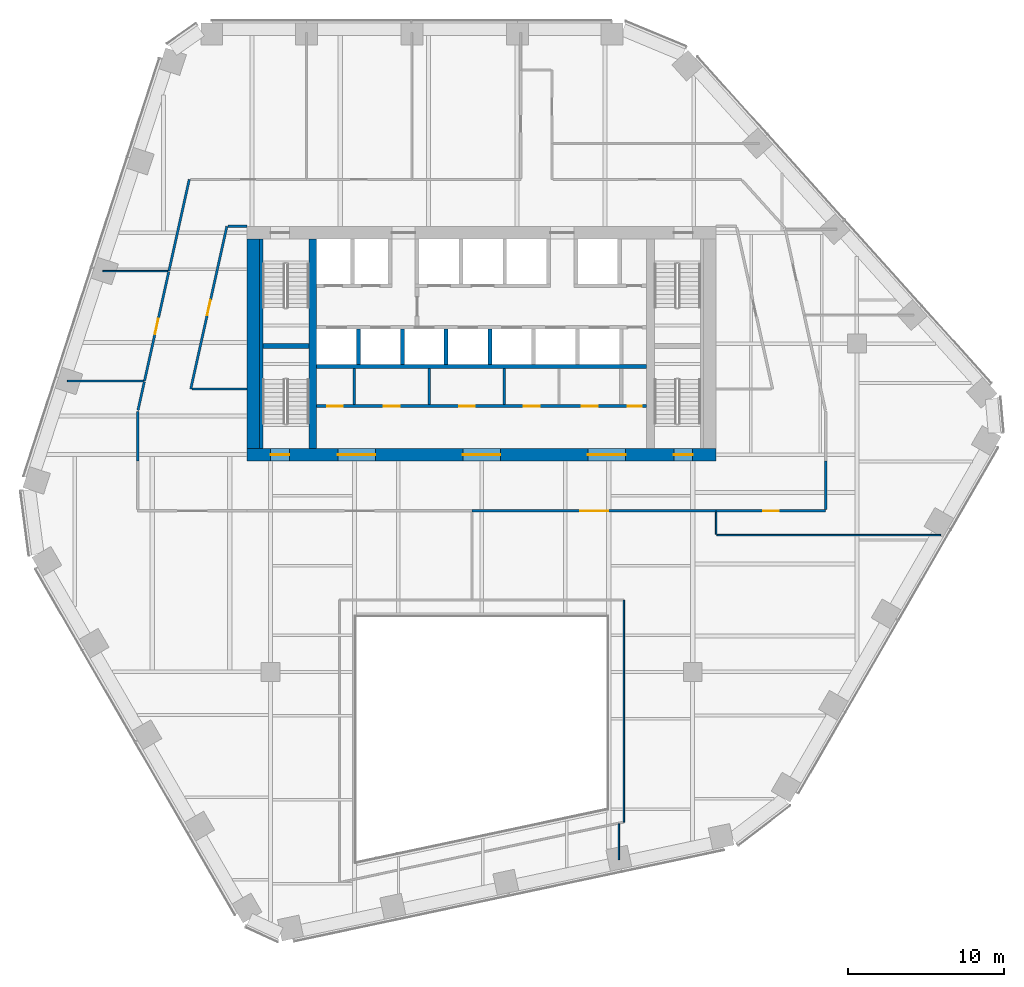
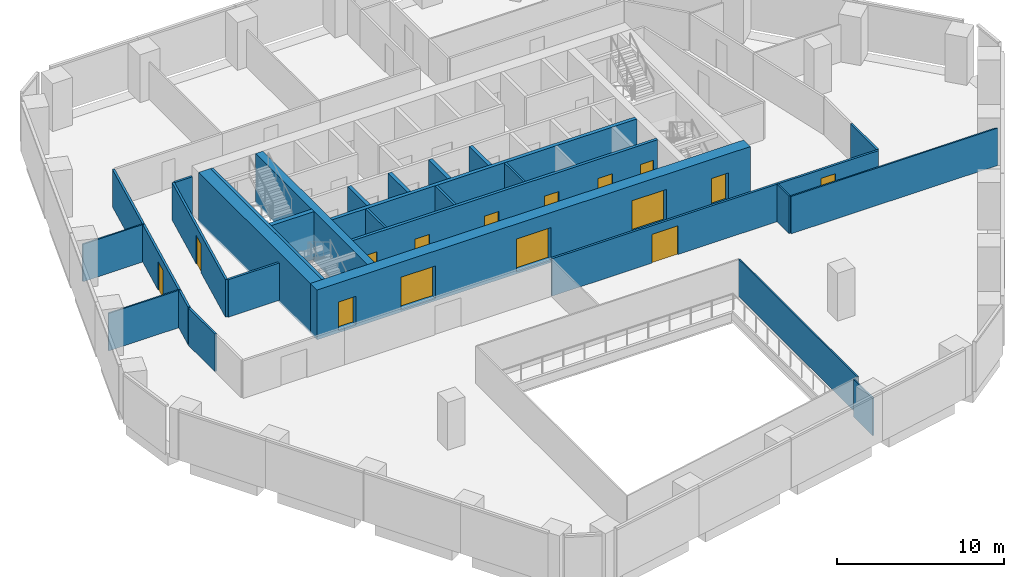
# One storey, part 11 of 16: 30 walls, 15 doors, 15 openings.
"""IFC4 building model written with IfcOpenShell, lengths in metres."""

from ifc_helpers import new_model, si_unit, direction, frame, frame_2d, origin, place, context, subcontext, project, spatial, rectangle, extrude, material, layer, layer_set, type_object, element, fill, save


model = new_model("IFC4")

# Units and contexts
model_context = context("Model", 3, precision=1e-05, world=origin(), true_north=direction((0.0, 1.0)))
body_context = subcontext(model_context, "Body", "Model", "MODEL_VIEW")
ifc_project = project(units=[si_unit("LENGTHUNIT", "METRE"), si_unit("AREAUNIT", "SQUARE_METRE"), si_unit("VOLUMEUNIT", "CUBIC_METRE"), si_unit("PLANEANGLEUNIT", "RADIAN"), si_unit("MASSUNIT", "GRAM", prefix="KILO")], contexts=[model_context])

# Site, building, storey
site_placement = place(None, origin())
site = spatial("IfcSite", under=ifc_project, at=site_placement, CompositionType="ELEMENT")
building_placement = place(site_placement, origin())
building = spatial("IfcBuilding", under=site, at=building_placement, Name="Isthmus Gate Tower", CompositionType="ELEMENT")
storey_placement = place(building_placement, frame((0.0, 0.0, 137.10009765625)))
storey = spatial("IfcBuildingStorey", under=building, at=storey_placement, Name="L33", CompositionType="ELEMENT", Elevation=137.10009765625)

# Wall
ifc_material_1 = material(Name="Fire-rated laminated glass in steel frame", Category="steel")
ifc_layer_1 = layer(ifc_material_1, 0.10009765625)
ifc_layer_set_1 = layer_set([ifc_layer_1], Name="ATRIUM SCREEN GLAZED WALL 100 120 MIN")
wall_type_1 = type_object("IfcWallType", Name="ATRIUM SCREEN GLAZED WALL 100 120 MIN", PredefinedType="PARTITIONING", material=ifc_layer_set_1)
wall_1_placement = place(storey_placement, frame((9.10009765625, -8.89990234375, 0.0), z_axis=(0.0, 0.0, 1.0), x_axis=(0.0, -1.0, 0.0)))
element("IfcWall", 1, at=wall_1_placement, inside=storey, type_object=wall_type_1, Name="L33 atrium screen", PredefinedType="PARTITIONING", context=body_context, shape_type="SweptSolid", body=[
    extrude(rectangle(XDim=14.200927734375, YDim=0.10009765625, at=frame_2d((7.1005859375, 0.0))), origin(), (0.0, 0.0, 1.0), 2.7412109375),
])

# Wall, opening, door
ifc_material_2 = material(Name="Gypsum board on steel studs, fire-rated", Category="steel")
ifc_layer_2 = layer(ifc_material_2, 0.14990234375)
ifc_layer_set_2 = layer_set([ifc_layer_2], Name="CORRIDOR WALL 150 60 MIN")
wall_type_2 = type_object("IfcWallType", Name="CORRIDOR WALL 150 60 MIN", PredefinedType="PARTITIONING", material=ifc_layer_set_2)
wall_2_placement = place(storey_placement, frame((15.0, -3.199951171875, 0.0), z_axis=(0.0, 0.0, 1.0), x_axis=(-1.0, 0.0, 0.0)))
wall_2 = element("IfcWall", 2, at=wall_2_placement, inside=storey, type_object=wall_type_2, Name="L33 Corridor Wall 150 60 Min", PredefinedType="PARTITIONING", context=body_context, shape_type="SweptSolid", body=[
    extrude(rectangle(XDim=15.616943359375, YDim=0.14990234375, at=frame_2d((7.80859375, 0.0))), origin(), (0.0, 0.0, 1.0), 2.7412109375),
])
opening_1_placement = place(wall_2_placement, frame((6.908447265625, 0.0, 0.0)))
opening_1 = element("IfcOpeningElement", 3, at=opening_1_placement, cuts=wall_2, Name="Opening DT-T3B-13", PredefinedType="OPENING", context=body_context, shape_type="SweptSolid", body=[
    extrude(rectangle(XDim=1.800048828125, YDim=2.10009765625, at=frame_2d((0.89990234375, 1.050048828125))), frame((0.0, 0.0849609375, 0.0), z_axis=(0.0, -1.0, 0.0), x_axis=(1.0, 0.0, 0.0)), (0.0, 0.0, 1.0), 0.169921875),
])
ifc_material_3 = material(Name="Solid core timber door leaf, fire-rated", Category="wood")
door_type_1 = type_object("IfcDoorType", Name="FIRE DOOR ROOM 1800 X 2100 60 MIN", OperationType="DOUBLE_DOOR_DOUBLE_SWING", PredefinedType="DOOR", material=ifc_material_3)
door_1_placement = place(opening_1_placement, origin())
door_1 = element("IfcDoor", 4, at=door_1_placement, inside=storey, type_object=door_type_1, Name="L33 room door", OperationType="DOUBLE_DOOR_DOUBLE_SWING", OverallHeight=2.10009765625, OverallWidth=1.800048828125, PredefinedType="DOOR", context=body_context, shape_type="SweptSolid", body=[
    extrude(rectangle(XDim=1.800048828125, YDim=2.10009765625, at=frame_2d((0.89990234375, 1.050048828125))), frame((0.0, 0.02490234375, 0.0), z_axis=(0.0, -1.0, 0.0), x_axis=(1.0, 0.0, 0.0)), (0.0, 0.0, 1.0), 0.050048828125),
])
fill(opening_1, door_1)

wall_3_placement = place(storey_placement, frame((22.0, -3.199951171875, 0.0), z_axis=(0.0, 0.0, 1.0), x_axis=(-1.0, 0.0, 0.0)))
wall_3 = element("IfcWall", 5, at=wall_3_placement, inside=storey, type_object=wall_type_2, Name="L33 Corridor Wall 150 60 Min", PredefinedType="PARTITIONING", context=body_context, shape_type="SweptSolid", body=[
    extrude(rectangle(XDim=7.0, YDim=0.14990234375, at=frame_2d((3.5, 0.0))), origin(), (0.0, 0.0, 1.0), 2.7412109375),
])
opening_2_placement = place(wall_3_placement, frame((3.0, 0.0, 0.0)))
opening_2 = element("IfcOpeningElement", 6, at=opening_2_placement, cuts=wall_3, Name="Opening DT-T3B-10", PredefinedType="OPENING", context=body_context, shape_type="SweptSolid", body=[
    extrude(rectangle(XDim=1.0, YDim=2.10009765625, at=frame_2d((0.5, 1.050048828125))), frame((0.0, 0.0849609375, 0.0), z_axis=(0.0, -1.0, 0.0), x_axis=(1.0, 0.0, 0.0)), (0.0, 0.0, 1.0), 0.169921875),
])
ifc_material_4 = material(Name="Solid core timber door leaf, fire-rated", Category="wood")
door_type_2 = type_object("IfcDoorType", Name="FIRE DOOR ROOM 1000 X 2100 60 MIN", OperationType="SINGLE_SWING_LEFT", PredefinedType="DOOR", material=ifc_material_4)
door_2_placement = place(opening_2_placement, origin())
door_2 = element("IfcDoor", 7, at=door_2_placement, inside=storey, type_object=door_type_2, Name="L33 room door", OperationType="SINGLE_SWING_RIGHT", OverallHeight=2.10009765625, OverallWidth=1.0, PredefinedType="DOOR", context=body_context, shape_type="SweptSolid", body=[
    extrude(rectangle(XDim=1.0, YDim=2.10009765625, at=frame_2d((0.5, 1.050048828125))), frame((0.0, 0.02490234375, 0.0), z_axis=(0.0, -1.0, 0.0), x_axis=(1.0, 0.0, 0.0)), (0.0, 0.0, 1.0), 0.050048828125),
])
fill(opening_2, door_2)

# Wall
wall_4_placement = place(storey_placement, frame((22.0, 0.0, 0.0), z_axis=(0.0, 0.0, 1.0), x_axis=(0.0, -1.0, 0.0)))
element("IfcWall", 8, at=wall_4_placement, inside=storey, type_object=wall_type_2, Name="L33 Corridor Wall 150 60 Min", PredefinedType="PARTITIONING", context=body_context, shape_type="SweptSolid", body=[
    extrude(rectangle(XDim=3.125, YDim=0.14990234375, at=frame_2d((1.5625, 0.0))), origin(), (0.0, 0.0, 1.0), 2.7412109375),
])

# Wall, opening, door
wall_5_placement = place(storey_placement, frame((-16.297119140625, 15.0, 0.0), z_axis=(0.0, 0.0, 1.0), x_axis=(-0.216903766867, -0.976192991124, 0.0)))
wall_5 = element("IfcWall", 9, at=wall_5_placement, inside=storey, type_object=wall_type_2, Name="L33 Corridor Wall 150 60 Min", PredefinedType="PARTITIONING", context=body_context, shape_type="SweptSolid", body=[
    extrude(rectangle(XDim=10.653564453125, YDim=0.14990234375, at=frame_2d((5.32666015625, 0.0))), origin(), (0.0, 0.0, 1.0), 2.7412109375),
])
opening_3_placement = place(wall_5_placement, frame((4.826904296875, 0.0, 0.0)))
opening_3 = element("IfcOpeningElement", 10, at=opening_3_placement, cuts=wall_5, Name="Opening DT-T3B-08", PredefinedType="OPENING", context=body_context, shape_type="SweptSolid", body=[
    extrude(rectangle(XDim=1.0, YDim=2.10009765625, at=frame_2d((0.5, 1.050048828125))), frame((0.0, 0.0849609375, 0.0), z_axis=(0.0, -1.0, 0.0), x_axis=(1.0, 0.0, 0.0)), (0.0, 0.0, 1.0), 0.169921875),
])
door_3_placement = place(opening_3_placement, origin())
door_3 = element("IfcDoor", 11, at=door_3_placement, inside=storey, type_object=door_type_2, Name="L33 room door", OperationType="SINGLE_SWING_RIGHT", OverallHeight=2.10009765625, OverallWidth=1.0, PredefinedType="DOOR", context=body_context, shape_type="SweptSolid", body=[
    extrude(rectangle(XDim=1.0, YDim=2.10009765625, at=frame_2d((0.5, 1.050048828125))), frame((0.0, 0.02490234375, 0.0), z_axis=(0.0, -1.0, 0.0), x_axis=(1.0, 0.0, 0.0)), (0.0, 0.0, 1.0), 0.050048828125),
])
fill(opening_3, door_3)

# Walls
wall_6_placement = place(storey_placement, frame((-15.0, 15.0, 0.0), z_axis=(0.0, 0.0, 1.0), x_axis=(-1.0, 0.0, 0.0)))
element("IfcWall", 12, at=wall_6_placement, inside=storey, type_object=wall_type_2, Name="L33 Corridor Wall 150 60 Min", PredefinedType="PARTITIONING", context=body_context, shape_type="SweptSolid", body=[
    extrude(rectangle(XDim=1.221923828125, YDim=0.14990234375, at=frame_2d((0.61083984375, 0.0))), origin(), (0.0, 0.0, 1.0), 2.7412109375),
])
wall_7_placement = place(storey_placement, frame((-20.0048828125, 12.14111328125, 0.0), z_axis=(0.0, 0.0, 1.0), x_axis=(0.216934764879, 0.976186103049, 0.0)))
element("IfcWall", 13, at=wall_7_placement, inside=storey, type_object=wall_type_2, Name="L33 Corridor Wall 150 60 Min", PredefinedType="PARTITIONING", context=body_context, shape_type="SweptSolid", body=[
    extrude(rectangle(XDim=6.001708984375, YDim=0.14990234375, at=frame_2d((3.0009765625, 0.0))), origin(), (0.0, 0.0, 1.0), 2.7412109375),
])

# Wall, opening, door
wall_8_placement = place(storey_placement, frame((-21.56689453125, 5.111083984375, 0.0), z_axis=(0.0, 0.0, 1.0), x_axis=(0.216883466585, 0.976197501494, 0.0)))
wall_8 = element("IfcWall", 14, at=wall_8_placement, inside=storey, type_object=wall_type_2, Name="L33 Corridor Wall 150 60 Min", PredefinedType="PARTITIONING", context=body_context, shape_type="SweptSolid", body=[
    extrude(rectangle(XDim=7.1513671875, YDim=0.14990234375, at=frame_2d((3.57568359375, 0.0))), origin(), (0.0, 0.0, 1.0), 2.7412109375),
])
opening_4_placement = place(wall_8_placement, frame((3.07568359375, 0.0, 0.0)))
opening_4 = element("IfcOpeningElement", 15, at=opening_4_placement, cuts=wall_8, Name="Opening DT-T3B-07", PredefinedType="OPENING", context=body_context, shape_type="SweptSolid", body=[
    extrude(rectangle(XDim=1.0, YDim=2.10009765625, at=frame_2d((0.5, 1.050048828125))), frame((0.0, 0.0849609375, 0.0), z_axis=(0.0, -1.0, 0.0), x_axis=(1.0, 0.0, 0.0)), (0.0, 0.0, 1.0), 0.169921875),
])
door_4_placement = place(opening_4_placement, origin())
door_4 = element("IfcDoor", 16, at=door_4_placement, inside=storey, type_object=door_type_2, Name="L33 room door", OperationType="SINGLE_SWING_RIGHT", OverallHeight=2.10009765625, OverallWidth=1.0, PredefinedType="DOOR", context=body_context, shape_type="SweptSolid", body=[
    extrude(rectangle(XDim=1.0, YDim=2.10009765625, at=frame_2d((0.5, 1.050048828125))), frame((0.0, 0.02490234375, 0.0), z_axis=(0.0, -1.0, 0.0), x_axis=(1.0, 0.0, 0.0)), (0.0, 0.0, 1.0), 0.050048828125),
])
fill(opening_4, door_4)

# Walls
wall_9_placement = place(storey_placement, frame((-18.532958984375, 4.60009765625, 0.0), z_axis=(0.0, 0.0, 1.0), x_axis=(1.0, 0.0, 0.0)))
element("IfcWall", 17, at=wall_9_placement, inside=storey, type_object=wall_type_2, Name="L33 Corridor Wall 150 60 Min", PredefinedType="PARTITIONING", context=body_context, shape_type="SweptSolid", body=[
    extrude(rectangle(XDim=3.532958984375, YDim=0.14990234375, at=frame_2d((1.7666015625, 0.0))), origin(), (0.0, 0.0, 1.0), 2.7412109375),
])
wall_10_placement = place(storey_placement, frame((-22.0, 0.0, 0.0), z_axis=(0.0, 0.0, 1.0), x_axis=(0.0, 1.0, 0.0)))
element("IfcWall", 18, at=wall_10_placement, inside=storey, type_object=wall_type_2, Name="L33 Corridor Wall 150 60 Min", PredefinedType="PARTITIONING", context=body_context, shape_type="SweptSolid", body=[
    extrude(rectangle(XDim=3.1650390625, YDim=0.14990234375, at=frame_2d((1.58251953125, 0.0))), origin(), (0.0, 0.0, 1.0), 2.7412109375),
])
wall_11_placement = place(storey_placement, frame((-21.983642578125, 3.23828125, 0.0), z_axis=(0.0, 0.0, 1.0), x_axis=(0.217151800435, 0.976137846601, 0.0)))
element("IfcWall", 19, at=wall_11_placement, inside=storey, type_object=wall_type_2, Name="L33 Corridor Wall 150 60 Min", PredefinedType="PARTITIONING", context=body_context, shape_type="SweptSolid", body=[
    extrude(rectangle(XDim=1.86865234375, YDim=0.14990234375, at=frame_2d((0.934326171875, 0.0))), origin(), (0.0, 0.0, 1.0), 2.7412109375),
])
ifc_material_5 = material(Name="Concrete f'c 60 MPa", Category="concrete")
ifc_layer_3 = layer(ifc_material_5, 0.5)
ifc_layer_set_3 = layer_set([ifc_layer_3], Name="RC CORE SPINE WALL 500 F'C 60")
wall_type_3 = type_object("IfcWallType", Name="RC CORE SPINE WALL 500 F'C 60", PredefinedType="SOLIDWALL", material=ifc_layer_set_3)
wall_12_placement = place(storey_placement, frame((-10.800048828125, 0.800048828125, -0.150146484375), z_axis=(0.0, 0.0, 1.0), x_axis=(0.0, 1.0, 0.0)))
element("IfcWall", 20, at=wall_12_placement, inside=storey, type_object=wall_type_3, Name="str-corewall-L33-SPW", PredefinedType="SOLIDWALL", context=body_context, shape_type="SweptSolid", body=[
    extrude(rectangle(XDim=13.39990234375, YDim=0.5, at=frame_2d((6.699951171875, 0.0))), origin(), (0.0, 0.0, 1.0), 3.650146484375),
])

# Wall, openings, doors
ifc_material_6 = material(Name="Concrete f'c 60 MPa", Category="concrete")
ifc_layer_4 = layer(ifc_material_6, 0.800048828125)
ifc_layer_set_4 = layer_set([ifc_layer_4], Name="RC CORE WALL 800 F'C 60")
wall_type_4 = type_object("IfcWallType", Name="RC CORE WALL 800 F'C 60", PredefinedType="SOLIDWALL", material=ifc_layer_set_4)
wall_13_placement = place(storey_placement, frame((-15.0, 0.39990234375, -0.150146484375), z_axis=(0.0, 0.0, 1.0), x_axis=(1.0, 0.0, 0.0)))
wall_13 = element("IfcWall", 21, at=wall_13_placement, inside=storey, type_object=wall_type_4, Name="str-corewall-L33-S", PredefinedType="SOLIDWALL", context=body_context, shape_type="SweptSolid", body=[
    extrude(rectangle(XDim=30.0, YDim=0.800048828125, at=frame_2d((15.0, 0.0))), origin(), (0.0, 0.0, 1.0), 3.650146484375),
])
opening_5_placement = place(wall_13_placement, frame((5.800048828125, 0.0, 0.14990234375)))
opening_5 = element("IfcOpeningElement", 22, at=opening_5_placement, cuts=wall_13, Name="Opening DC-A12-10", PredefinedType="OPENING", context=body_context, shape_type="SweptSolid", body=[
    extrude(rectangle(XDim=2.39990234375, YDim=2.39990234375, at=frame_2d((1.199951171875, 1.199951171875))), frame((0.0, 0.409912109375, 0.0), z_axis=(0.0, -1.0, 0.0), x_axis=(1.0, 0.0, 0.0)), (0.0, 0.0, 1.0), 0.820068359375),
])
opening_6_placement = place(wall_13_placement, frame((13.800048828125, 0.0, 0.14990234375)))
opening_6 = element("IfcOpeningElement", 23, at=opening_6_placement, cuts=wall_13, Name="Opening DC-A12-11", PredefinedType="OPENING", context=body_context, shape_type="SweptSolid", body=[
    extrude(rectangle(XDim=2.39990234375, YDim=2.39990234375, at=frame_2d((1.199951171875, 1.199951171875))), frame((0.0, 0.409912109375, 0.0), z_axis=(0.0, -1.0, 0.0), x_axis=(1.0, 0.0, 0.0)), (0.0, 0.0, 1.0), 0.820068359375),
])
opening_7_placement = place(wall_13_placement, frame((21.800048828125, 0.0, 0.14990234375)))
opening_7 = element("IfcOpeningElement", 24, at=opening_7_placement, cuts=wall_13, Name="Opening DC-A12-12", PredefinedType="OPENING", context=body_context, shape_type="SweptSolid", body=[
    extrude(rectangle(XDim=2.39990234375, YDim=2.39990234375, at=frame_2d((1.199951171875, 1.199951171875))), frame((0.0, 0.409912109375, 0.0), z_axis=(0.0, -1.0, 0.0), x_axis=(1.0, 0.0, 0.0)), (0.0, 0.0, 1.0), 0.820068359375),
])
opening_8_placement = place(wall_13_placement, frame((1.5, 0.0, 0.14990234375)))
opening_8 = element("IfcOpeningElement", 25, at=opening_8_placement, cuts=wall_13, Name="Opening DC-A12-17", PredefinedType="OPENING", context=body_context, shape_type="SweptSolid", body=[
    extrude(rectangle(XDim=1.199951171875, YDim=2.10009765625, at=frame_2d((0.60009765625, 1.050048828125))), frame((0.0, 0.409912109375, 0.0), z_axis=(0.0, -1.0, 0.0), x_axis=(1.0, 0.0, 0.0)), (0.0, 0.0, 1.0), 0.820068359375),
])
opening_9_placement = place(wall_13_placement, frame((27.300048828125, 0.0, 0.14990234375)))
opening_9 = element("IfcOpeningElement", 26, at=opening_9_placement, cuts=wall_13, Name="Opening DC-A12-18", PredefinedType="OPENING", context=body_context, shape_type="SweptSolid", body=[
    extrude(rectangle(XDim=1.199951171875, YDim=2.10009765625, at=frame_2d((0.60009765625, 1.050048828125))), frame((0.0, 0.409912109375, 0.0), z_axis=(0.0, -1.0, 0.0), x_axis=(1.0, 0.0, 0.0)), (0.0, 0.0, 1.0), 0.820068359375),
])
ifc_material_7 = material(Name="Laminated safety glass in steel frame, fire-rated", Category="steel")
door_type_3 = type_object("IfcDoorType", Name="LOBBY ENTRANCE FIRE DOOR 2400 X 2400 60 MIN", OperationType="DOUBLE_DOOR_DOUBLE_SWING", PredefinedType="DOOR", material=ifc_material_7)
door_5_placement = place(opening_5_placement, origin())
door_5 = element("IfcDoor", 27, at=door_5_placement, inside=storey, type_object=door_type_3, Name="Lobby Entrance PS-W", OperationType="DOUBLE_DOOR_DOUBLE_SWING", OverallHeight=2.39990234375, OverallWidth=2.39990234375, PredefinedType="DOOR", context=body_context, shape_type="SweptSolid", body=[
    extrude(rectangle(XDim=2.39990234375, YDim=2.39990234375, at=frame_2d((1.199951171875, 1.199951171875))), frame((0.0, 0.02490234375, 0.0), z_axis=(0.0, -1.0, 0.0), x_axis=(1.0, 0.0, 0.0)), (0.0, 0.0, 1.0), 0.050048828125),
])
fill(opening_5, door_5)
door_6_placement = place(opening_6_placement, origin())
door_6 = element("IfcDoor", 28, at=door_6_placement, inside=storey, type_object=door_type_3, Name="Lobby Entrance PS-C", OperationType="DOUBLE_DOOR_DOUBLE_SWING", OverallHeight=2.39990234375, OverallWidth=2.39990234375, PredefinedType="DOOR", context=body_context, shape_type="SweptSolid", body=[
    extrude(rectangle(XDim=2.39990234375, YDim=2.39990234375, at=frame_2d((1.199951171875, 1.199951171875))), frame((0.0, 0.02490234375, 0.0), z_axis=(0.0, -1.0, 0.0), x_axis=(1.0, 0.0, 0.0)), (0.0, 0.0, 1.0), 0.050048828125),
])
fill(opening_6, door_6)
door_7_placement = place(opening_7_placement, origin())
door_7 = element("IfcDoor", 29, at=door_7_placement, inside=storey, type_object=door_type_3, Name="Lobby Entrance PS-E", OperationType="DOUBLE_DOOR_DOUBLE_SWING", OverallHeight=2.39990234375, OverallWidth=2.39990234375, PredefinedType="DOOR", context=body_context, shape_type="SweptSolid", body=[
    extrude(rectangle(XDim=2.39990234375, YDim=2.39990234375, at=frame_2d((1.199951171875, 1.199951171875))), frame((0.0, 0.02490234375, 0.0), z_axis=(0.0, -1.0, 0.0), x_axis=(1.0, 0.0, 0.0)), (0.0, 0.0, 1.0), 0.050048828125),
])
fill(opening_7, door_7)
ifc_material_8 = material(Name="Steel door leaf, fire-rated", Category="steel")
door_type_4 = type_object("IfcDoorType", Name="STAIR FIRE DOOR 1200 X 2100 90 MIN", OperationType="SINGLE_SWING_LEFT", PredefinedType="DOOR", material=ifc_material_8)
door_8_placement = place(opening_8_placement, origin())
door_8 = element("IfcDoor", 30, at=door_8_placement, inside=storey, type_object=door_type_4, Name="Exit Stair 7 Door", OperationType="SINGLE_SWING_LEFT", OverallHeight=2.10009765625, OverallWidth=1.199951171875, PredefinedType="DOOR", context=body_context, shape_type="SweptSolid", body=[
    extrude(rectangle(XDim=1.199951171875, YDim=2.10009765625, at=frame_2d((0.60009765625, 1.050048828125))), frame((0.0, 0.02490234375, 0.0), z_axis=(0.0, -1.0, 0.0), x_axis=(1.0, 0.0, 0.0)), (0.0, 0.0, 1.0), 0.050048828125),
])
fill(opening_8, door_8)
door_9_placement = place(opening_9_placement, origin())
door_9 = element("IfcDoor", 31, at=door_9_placement, inside=storey, type_object=door_type_4, Name="Exit Stair 8 Door", OperationType="SINGLE_SWING_RIGHT", OverallHeight=2.10009765625, OverallWidth=1.199951171875, PredefinedType="DOOR", context=body_context, shape_type="SweptSolid", body=[
    extrude(rectangle(XDim=1.199951171875, YDim=2.10009765625, at=frame_2d((0.60009765625, 1.050048828125))), frame((0.0, 0.02490234375, 0.0), z_axis=(0.0, -1.0, 0.0), x_axis=(1.0, 0.0, 0.0)), (0.0, 0.0, 1.0), 0.050048828125),
])
fill(opening_9, door_9)

# Walls
wall_14_placement = place(storey_placement, frame((-14.60009765625, 0.800048828125, -0.150146484375), z_axis=(0.0, 0.0, 1.0), x_axis=(0.0, 1.0, 0.0)))
element("IfcWall", 32, at=wall_14_placement, inside=storey, type_object=wall_type_4, Name="str-corewall-L33-W", PredefinedType="SOLIDWALL", context=body_context, shape_type="SweptSolid", body=[
    extrude(rectangle(XDim=13.39990234375, YDim=0.800048828125, at=frame_2d((6.699951171875, 0.0))), origin(), (0.0, 0.0, 1.0), 3.650146484375),
])
ifc_material_9 = material(Name="Gypsum board on steel studs, fire-rated", Category="steel")
ifc_layer_5 = layer(ifc_material_9, 0.10009765625)
ifc_layer_set_5 = layer_set([ifc_layer_5], Name="ROOM PARTITION 100 30 MIN")
wall_type_5 = type_object("IfcWallType", Name="ROOM PARTITION 100 30 MIN", PredefinedType="PARTITIONING", material=ifc_layer_set_5)
wall_15_placement = place(storey_placement, frame((-24.221923828125, 12.14111328125, 0.0), z_axis=(0.0, 0.0, 1.0), x_axis=(1.0, 0.0, 0.0)))
element("IfcWall", 33, at=wall_15_placement, inside=storey, type_object=wall_type_5, Name="L33 Room Partition 100 30 Min", PredefinedType="PARTITIONING", context=body_context, shape_type="SweptSolid", body=[
    extrude(rectangle(XDim=4.141845703125, YDim=0.10009765625, at=frame_2d((2.07080078125, 0.0))), origin(), (0.0, 0.0, 1.0), 2.7412109375),
])
wall_16_placement = place(storey_placement, frame((-26.506103515625, 5.111083984375, 0.0), z_axis=(0.0, 0.0, 1.0), x_axis=(1.0, 0.0, 0.0)))
element("IfcWall", 34, at=wall_16_placement, inside=storey, type_object=wall_type_5, Name="L33 Room Partition 100 30 Min", PredefinedType="PARTITIONING", context=body_context, shape_type="SweptSolid", body=[
    extrude(rectangle(XDim=4.863037109375, YDim=0.10009765625, at=frame_2d((2.431640625, 0.0))), origin(), (0.0, 0.0, 1.0), 2.7412109375),
])
wall_17_placement = place(storey_placement, frame((15.050048828125, -4.75, 0.0), z_axis=(0.0, 0.0, 1.0), x_axis=(1.0, 0.0, 0.0)))
element("IfcWall", 35, at=wall_17_placement, inside=storey, type_object=wall_type_5, Name="L33 Room Partition 100 30 Min", PredefinedType="PARTITIONING", context=body_context, shape_type="SweptSolid", body=[
    extrude(rectangle(XDim=14.31396484375, YDim=0.10009765625, at=frame_2d((7.156982421875, 0.0))), origin(), (0.0, 0.0, 1.0), 2.7412109375),
])
wall_18_placement = place(storey_placement, frame((8.77392578125, -25.52197265625, 0.0), z_axis=(0.0, 0.0, 1.0), x_axis=(0.0, 1.0, 0.0)))
element("IfcWall", 36, at=wall_18_placement, inside=storey, type_object=wall_type_5, Name="L33 Room Partition 100 30 Min", PredefinedType="PARTITIONING", context=body_context, shape_type="SweptSolid", body=[
    extrude(rectangle(XDim=2.301025390625, YDim=0.10009765625, at=frame_2d((1.150390625, 0.0))), origin(), (0.0, 0.0, 1.0), 2.7412109375),
])
wall_19_placement = place(storey_placement, frame((15.0, -4.699951171875, 0.0), z_axis=(0.0, 0.0, 1.0), x_axis=(0.0, 1.0, 0.0)))
element("IfcWall", 37, at=wall_19_placement, inside=storey, type_object=wall_type_5, Name="L33 Room Partition 100 30 Min", PredefinedType="PARTITIONING", context=body_context, shape_type="SweptSolid", body=[
    extrude(rectangle(XDim=1.425048828125, YDim=0.10009765625, at=frame_2d((0.71240234375, 0.0))), origin(), (0.0, 0.0, 1.0), 2.7412109375),
])
ifc_material_10 = material(Name="Gypsum board on steel studs, fire-rated", Category="steel")
ifc_layer_6 = layer(ifc_material_10, 0.14990234375)
ifc_layer_set_6 = layer_set([ifc_layer_6], Name="ROOM PARTITION 150 60 MIN")
wall_type_6 = type_object("IfcWallType", Name="ROOM PARTITION 150 60 MIN", PredefinedType="PARTITIONING", material=ifc_layer_set_6)
for number, where, z_axis, x_axis, name in (
    (38, (-8.14990234375, 3.60009765625, 0.0), (0.0, 0.0, 1.0), (0.0, 1.0, 0.0), "L33 ROOM PARTITION 150 60 MIN"),
    (39, (-3.35009765625, 3.60009765625, 0.0), (0.0, 0.0, 1.0), (0.0, 1.0, 0.0), "L33 ROOM PARTITION 150 60 MIN"),
    (40, (1.449951171875, 3.60009765625, 0.0), (0.0, 0.0, 1.0), (0.0, 1.0, 0.0), "L33 ROOM PARTITION 150 60 MIN"),
):
    element("IfcWall", number, at=place(storey_placement, frame(where, z_axis=z_axis, x_axis=x_axis)), inside=storey, type_object=wall_type_6, Name=name, PredefinedType="PARTITIONING", context=body_context, shape_type="SweptSolid", body=[
        extrude(rectangle(XDim=2.2998046875, YDim=0.14990234375, at=frame_2d((1.14990234375, 0.0))), origin(), (0.0, 0.0, 1.0), 3.5),
    ])

# Wall, openings, doors
ifc_material_11 = material(Name="Fire-rated blockwork masonry, 15 MPa", Category="masonry")
ifc_layer_7 = layer(ifc_material_11, 0.199951171875)
ifc_layer_set_7 = layer_set([ifc_layer_7], Name="SHAFT FRONT WALL 200 120 MIN")
wall_type_7 = type_object("IfcWallType", Name="SHAFT FRONT WALL 200 120 MIN", PredefinedType="PARTITIONING", material=ifc_layer_set_7)
wall_20_placement = place(storey_placement, frame((-10.550048828125, 3.5, 0.0), z_axis=(0.0, 0.0, 1.0), x_axis=(1.0, 0.0, 0.0)))
wall_20 = element("IfcWall", 41, at=wall_20_placement, inside=storey, type_object=wall_type_7, Name="L33 SHAFT FRONT WALL 200 120 MIN", PredefinedType="PARTITIONING", context=body_context, shape_type="SweptSolid", body=[
    extrude(rectangle(XDim=21.10009765625, YDim=0.199951171875, at=frame_2d((10.550048828125, 0.0))), origin(), (0.0, 0.0, 1.0), 3.5),
])
opening_10_placement = place(wall_20_placement, frame((0.66259765625, 0.0, 0.0)))
opening_10 = element("IfcOpeningElement", 42, at=opening_10_placement, cuts=wall_20, Name="Opening DC-A12-02", PredefinedType="OPENING", context=body_context, shape_type="SweptSolid", body=[
    extrude(rectangle(XDim=1.0, YDim=2.10009765625, at=frame_2d((0.5, 1.050048828125))), frame((0.0, 0.10986328125, 0.0), z_axis=(0.0, -1.0, 0.0), x_axis=(1.0, 0.0, 0.0)), (0.0, 0.0, 1.0), 0.219970703125),
])
opening_11_placement = place(wall_20_placement, frame((4.300048828125, 0.0, 0.0)))
opening_11 = element("IfcOpeningElement", 43, at=opening_11_placement, cuts=wall_20, Name="Opening DC-A12-03", PredefinedType="OPENING", context=body_context, shape_type="SweptSolid", body=[
    extrude(rectangle(XDim=1.0, YDim=2.10009765625, at=frame_2d((0.5, 1.050048828125))), frame((0.0, 0.10986328125, 0.0), z_axis=(0.0, -1.0, 0.0), x_axis=(1.0, 0.0, 0.0)), (0.0, 0.0, 1.0), 0.219970703125),
])
opening_12_placement = place(wall_20_placement, frame((9.10009765625, 0.0, 0.0)))
opening_12 = element("IfcOpeningElement", 44, at=opening_12_placement, cuts=wall_20, Name="Opening DC-A12-04", PredefinedType="OPENING", context=body_context, shape_type="SweptSolid", body=[
    extrude(rectangle(XDim=1.0, YDim=2.10009765625, at=frame_2d((0.5, 1.050048828125))), frame((0.0, 0.10986328125, 0.0), z_axis=(0.0, -1.0, 0.0), x_axis=(1.0, 0.0, 0.0)), (0.0, 0.0, 1.0), 0.219970703125),
])
opening_13_placement = place(wall_20_placement, frame((13.25, 0.0, 0.0)))
opening_13 = element("IfcOpeningElement", 45, at=opening_13_placement, cuts=wall_20, Name="Opening DC-A12-05", PredefinedType="OPENING", context=body_context, shape_type="SweptSolid", body=[
    extrude(rectangle(XDim=1.0, YDim=2.10009765625, at=frame_2d((0.5, 1.050048828125))), frame((0.0, 0.10986328125, 0.0), z_axis=(0.0, -1.0, 0.0), x_axis=(1.0, 0.0, 0.0)), (0.0, 0.0, 1.0), 0.219970703125),
])
opening_14_placement = place(wall_20_placement, frame((16.96240234375, 0.0, 0.0)))
opening_14 = element("IfcOpeningElement", 46, at=opening_14_placement, cuts=wall_20, Name="Opening DC-A12-06", PredefinedType="OPENING", context=body_context, shape_type="SweptSolid", body=[
    extrude(rectangle(XDim=1.0, YDim=2.10009765625, at=frame_2d((0.5, 1.050048828125))), frame((0.0, 0.10986328125, 0.0), z_axis=(0.0, -1.0, 0.0), x_axis=(1.0, 0.0, 0.0)), (0.0, 0.0, 1.0), 0.219970703125),
])
opening_15_placement = place(wall_20_placement, frame((19.89990234375, 0.0, 0.0)))
opening_15 = element("IfcOpeningElement", 47, at=opening_15_placement, cuts=wall_20, Name="Opening DC-A12-07", PredefinedType="OPENING", context=body_context, shape_type="SweptSolid", body=[
    extrude(rectangle(XDim=0.89990234375, YDim=2.10009765625, at=frame_2d((0.449951171875, 1.050048828125))), frame((0.0, 0.10986328125, 0.0), z_axis=(0.0, -1.0, 0.0), x_axis=(1.0, 0.0, 0.0)), (0.0, 0.0, 1.0), 0.219970703125),
])
ifc_material_12 = material(Name="Steel door leaf, fire-rated", Category="steel")
door_type_5 = type_object("IfcDoorType", Name="FIRE DOOR 1000 X 2100 60 MIN", OperationType="SINGLE_SWING_LEFT", PredefinedType="DOOR", material=ifc_material_12)
door_10_placement = place(opening_10_placement, origin())
door_10 = element("IfcDoor", 48, at=door_10_placement, inside=storey, type_object=door_type_5, Name="Accessible WC Door", OperationType="SINGLE_SWING_LEFT", OverallHeight=2.10009765625, OverallWidth=1.0, PredefinedType="DOOR", context=body_context, shape_type="SweptSolid", body=[
    extrude(rectangle(XDim=1.0, YDim=2.10009765625, at=frame_2d((0.5, 1.050048828125))), frame((0.0, 0.02490234375, 0.0), z_axis=(0.0, -1.0, 0.0), x_axis=(1.0, 0.0, 0.0)), (0.0, 0.0, 1.0), 0.050048828125),
])
fill(opening_10, door_10)
door_11_placement = place(opening_11_placement, origin())
door_11 = element("IfcDoor", 49, at=door_11_placement, inside=storey, type_object=door_type_5, Name="WC Women Door", OperationType="SINGLE_SWING_RIGHT", OverallHeight=2.10009765625, OverallWidth=1.0, PredefinedType="DOOR", context=body_context, shape_type="SweptSolid", body=[
    extrude(rectangle(XDim=1.0, YDim=2.10009765625, at=frame_2d((0.5, 1.050048828125))), frame((0.0, 0.02490234375, 0.0), z_axis=(0.0, -1.0, 0.0), x_axis=(1.0, 0.0, 0.0)), (0.0, 0.0, 1.0), 0.050048828125),
])
fill(opening_11, door_11)
door_12_placement = place(opening_12_placement, origin())
door_12 = element("IfcDoor", 50, at=door_12_placement, inside=storey, type_object=door_type_5, Name="WC Men Door", OperationType="SINGLE_SWING_LEFT", OverallHeight=2.10009765625, OverallWidth=1.0, PredefinedType="DOOR", context=body_context, shape_type="SweptSolid", body=[
    extrude(rectangle(XDim=1.0, YDim=2.10009765625, at=frame_2d((0.5, 1.050048828125))), frame((0.0, 0.02490234375, 0.0), z_axis=(0.0, -1.0, 0.0), x_axis=(1.0, 0.0, 0.0)), (0.0, 0.0, 1.0), 0.050048828125),
])
fill(opening_12, door_12)
door_13_placement = place(opening_13_placement, origin())
door_13 = element("IfcDoor", 51, at=door_13_placement, inside=storey, type_object=door_type_5, Name="Staff Room Door", OperationType="SINGLE_SWING_RIGHT", OverallHeight=2.10009765625, OverallWidth=1.0, PredefinedType="DOOR", context=body_context, shape_type="SweptSolid", body=[
    extrude(rectangle(XDim=1.0, YDim=2.10009765625, at=frame_2d((0.5, 1.050048828125))), frame((0.0, 0.02490234375, 0.0), z_axis=(0.0, -1.0, 0.0), x_axis=(1.0, 0.0, 0.0)), (0.0, 0.0, 1.0), 0.050048828125),
])
fill(opening_13, door_13)
door_14_placement = place(opening_14_placement, origin())
door_14 = element("IfcDoor", 52, at=door_14_placement, inside=storey, type_object=door_type_5, Name="Stationery Store Door", OperationType="SINGLE_SWING_LEFT", OverallHeight=2.10009765625, OverallWidth=1.0, PredefinedType="DOOR", context=body_context, shape_type="SweptSolid", body=[
    extrude(rectangle(XDim=1.0, YDim=2.10009765625, at=frame_2d((0.5, 1.050048828125))), frame((0.0, 0.02490234375, 0.0), z_axis=(0.0, -1.0, 0.0), x_axis=(1.0, 0.0, 0.0)), (0.0, 0.0, 1.0), 0.050048828125),
])
fill(opening_14, door_14)
ifc_material_13 = material(Name="Steel door leaf, fire-rated", Category="steel")
door_type_6 = type_object("IfcDoorType", Name="RISER FIRE DOOR 900 X 2100 90 MIN", OperationType="SINGLE_SWING_LEFT", PredefinedType="DOOR", material=ifc_material_13)
door_15_placement = place(opening_15_placement, origin())
door_15 = element("IfcDoor", 53, at=door_15_placement, inside=storey, type_object=door_type_6, Name="Riser Door", OperationType="SINGLE_SWING_RIGHT", OverallHeight=2.10009765625, OverallWidth=0.89990234375, PredefinedType="DOOR", context=body_context, shape_type="SweptSolid", body=[
    extrude(rectangle(XDim=0.89990234375, YDim=2.10009765625, at=frame_2d((0.449951171875, 1.050048828125))), frame((0.0, 0.02490234375, 0.0), z_axis=(0.0, -1.0, 0.0), x_axis=(1.0, 0.0, 0.0)), (0.0, 0.0, 1.0), 0.050048828125),
])
fill(opening_15, door_15)

# Walls
ifc_material_14 = material(Name="Fire-rated blockwork masonry, 15 MPa", Category="masonry")
ifc_layer_8 = layer(ifc_material_14, 0.25)
ifc_layer_set_8 = layer_set([ifc_layer_8], Name="SHAFT WALL 250 120 MIN")
wall_type_8 = type_object("IfcWallType", Name="SHAFT WALL 250 120 MIN", PredefinedType="PARTITIONING", material=ifc_layer_set_8)
wall_21_placement = place(storey_placement, frame((-10.550048828125, 6.02490234375, 0.0), z_axis=(0.0, 0.0, 1.0), x_axis=(1.0, 0.0, 0.0)))
element("IfcWall", 54, at=wall_21_placement, inside=storey, type_object=wall_type_8, Name="L33 SHAFT WALL 250 120 MIN", PredefinedType="PARTITIONING", context=body_context, shape_type="SweptSolid", body=[
    extrude(rectangle(XDim=21.10009765625, YDim=0.25, at=frame_2d((10.550048828125, 0.0))), origin(), (0.0, 0.0, 1.0), 3.5),
])
for number, where, z_axis, x_axis, name in (
    (55, (-7.875, 6.14990234375, 0.0), (0.0, 0.0, 1.0), (0.0, 1.0, 0.0), "L33 SHAFT WALL 250 120 MIN"),
    (56, (-5.074951171875, 6.14990234375, 0.0), (0.0, 0.0, 1.0), (0.0, 1.0, 0.0), "L33 SHAFT WALL 250 120 MIN"),
    (57, (-2.27490234375, 6.14990234375, 0.0), (0.0, 0.0, 1.0), (0.0, 1.0, 0.0), "L33 SHAFT WALL 250 120 MIN"),
    (58, (0.52490234375, 6.14990234375, 0.0), (0.0, 0.0, 1.0), (0.0, 1.0, 0.0), "L33 SHAFT WALL 250 120 MIN"),
):
    element("IfcWall", number, at=place(storey_placement, frame(where, z_axis=z_axis, x_axis=x_axis)), inside=storey, type_object=wall_type_8, Name=name, PredefinedType="PARTITIONING", context=body_context, shape_type="SweptSolid", body=[
        extrude(rectangle(XDim=2.300048828125, YDim=0.25, at=frame_2d((1.14990234375, 0.0))), origin(), (0.0, 0.0, 1.0), 3.5),
    ])
ifc_material_15 = material(Name="Concrete f'c 40 MPa", Category="concrete")
ifc_layer_9 = layer(ifc_material_15, 0.199951171875)
ifc_layer_set_9 = layer_set([ifc_layer_9], Name="STAIR ENCLOSURE WALL 200 180 MIN")
wall_type_9 = type_object("IfcWallType", Name="STAIR ENCLOSURE WALL 200 180 MIN", PredefinedType="SOLIDWALL", material=ifc_layer_set_9)
wall_22_placement = place(storey_placement, frame((-14.10009765625, 0.800048828125, 0.0), z_axis=(0.0, 0.0, 1.0), x_axis=(0.0, 1.0, 0.0)))
element("IfcWall", 59, at=wall_22_placement, inside=storey, type_object=wall_type_9, Name="L33 STAIR ENCLOSURE WALL 200 180 MIN", PredefinedType="SOLIDWALL", context=body_context, shape_type="SweptSolid", body=[
    extrude(rectangle(XDim=13.39990234375, YDim=0.199951171875, at=frame_2d((6.699951171875, 0.0))), origin(), (0.0, 0.0, 1.0), 3.5),
])
ifc_material_16 = material(Name="Concrete f'c 40 MPa", Category="concrete")
ifc_layer_10 = layer(ifc_material_16, 0.300048828125)
ifc_layer_set_10 = layer_set([ifc_layer_10], Name="STAIR ENCLOSURE WALL 300 180 MIN")
wall_type_10 = type_object("IfcWallType", Name="STAIR ENCLOSURE WALL 300 180 MIN", PredefinedType="SOLIDWALL", material=ifc_layer_set_10)
wall_23_placement = place(storey_placement, frame((-14.0, 7.35009765625, 0.0), z_axis=(0.0, 0.0, 1.0), x_axis=(1.0, 0.0, 0.0)))
element("IfcWall", 60, at=wall_23_placement, inside=storey, type_object=wall_type_10, Name="L33 STAIR ENCLOSURE WALL 300 180 MIN", PredefinedType="SOLIDWALL", context=body_context, shape_type="SweptSolid", body=[
    extrude(rectangle(XDim=2.949951171875, YDim=0.300048828125, at=frame_2d((1.47509765625, 0.0))), origin(), (0.0, 0.0, 1.0), 3.5),
])

save(model, "model.ifc")
